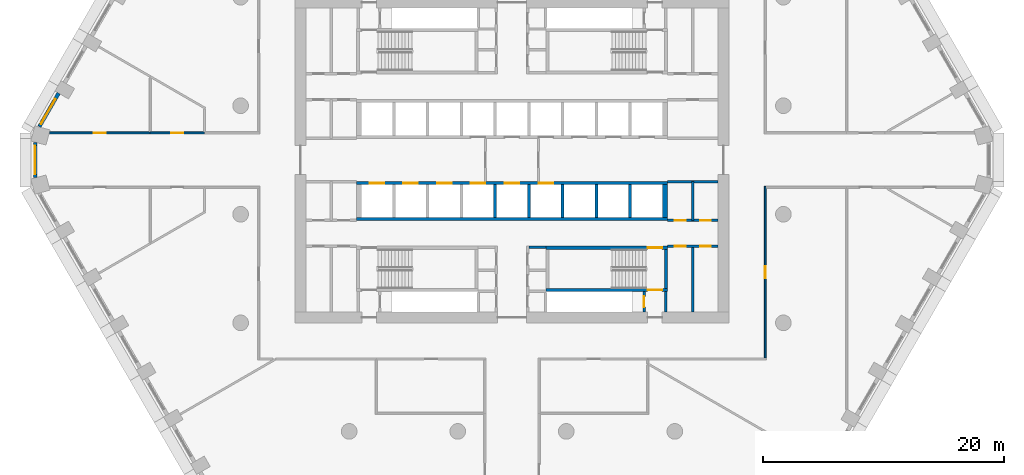
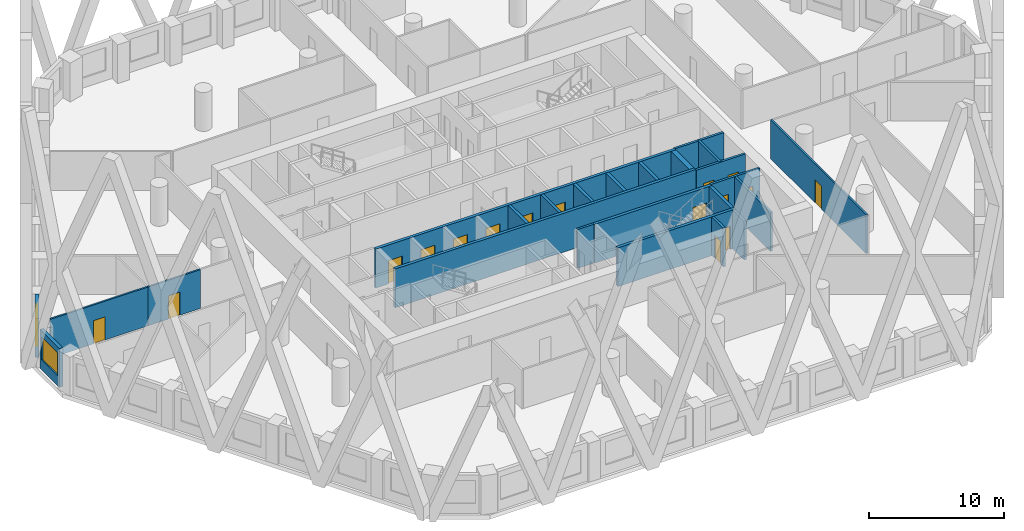
# One storey, part 4 of 18: 24 walls, 16 doors, 2 windows, 18 openings.
"""IFC4 building model written with IfcOpenShell, lengths in metres."""

from ifc_helpers import new_model, si_unit, direction, frame, frame_2d, origin, place, context, subcontext, project, spatial, polyline, rectangle, outline, extrude, material, layer, layer_set, type_object, element, fill, save


model = new_model("IFC4")

# Units and contexts
model_context = context("Model", 3, precision=1e-05, world=origin(), true_north=direction((0.0, 1.0)))
body_context = subcontext(model_context, "Body", "Model", "MODEL_VIEW")
ifc_project = project(units=[si_unit("LENGTHUNIT", "METRE"), si_unit("AREAUNIT", "SQUARE_METRE"), si_unit("VOLUMEUNIT", "CUBIC_METRE"), si_unit("PLANEANGLEUNIT", "RADIAN"), si_unit("MASSUNIT", "GRAM", prefix="KILO")], contexts=[model_context])

# Site, building, storey
site_placement = place(None, origin())
site = spatial("IfcSite", under=ifc_project, at=site_placement, CompositionType="ELEMENT")
building_placement = place(site_placement, origin())
building = spatial("IfcBuilding", under=site, at=building_placement, Name="Dhurran Vertical Campus", CompositionType="ELEMENT")
storey_placement = place(building_placement, frame((0.0, 0.0, 104.699951171875)))
storey = spatial("IfcBuildingStorey", under=building, at=storey_placement, Name="L25", CompositionType="ELEMENT", Elevation=104.699951171875)

# Wall, opening, window
ifc_material_1 = material(Name="Precast concrete C50/60", Category="concrete")
ifc_layer_1 = layer(ifc_material_1, 0.300048828125)
ifc_layer_set_1 = layer_set([ifc_layer_1], Name="Precast concrete C50/60")
wall_type_1 = type_object("IfcWallType", Name="Precast spandrel wall 300", PredefinedType="SOLIDWALL", material=ifc_layer_set_1)
wall_1_placement = place(storey_placement, frame((-37.59423828125, 5.538818359375, 0.0), z_axis=(0.0, 0.0, 1.0), x_axis=(-0.500004907028, -0.866022570692, 0.0)))
wall_1 = element("IfcWall", 1, at=wall_1_placement, inside=storey, type_object=wall_type_1, Name="EW1 L25.42", PredefinedType="SOLIDWALL", context=body_context, shape_type="SweptSolid", body=[
    extrude(rectangle(XDim=3.1923828125, YDim=0.300048828125, at=frame_2d((1.59619140625, 0.0))), origin(), (0.0, 0.0, 1.0), 3.525146484375),
])
opening_1_placement = place(wall_1_placement, frame((0.549560546875, 0.0, 0.89990234375)))
opening_1 = element("IfcOpeningElement", 2, at=opening_1_placement, cuts=wall_1, Name="Opening WT1", PredefinedType="OPENING", context=body_context, shape_type="SweptSolid", body=[
    extrude(rectangle(XDim=2.39990234375, YDim=2.10009765625, at=frame_2d((1.199951171875, 1.050048828125))), frame((0.0, 0.159912109375, 0.0), z_axis=(0.0, -1.0, 0.0), x_axis=(1.0, 0.0, 0.0)), (0.0, 0.0, 1.0), 0.320068359375),
])
ifc_material_2 = material(Name="Aluminium frame with solar-control glass", Category="aluminium")
window_type = type_object("IfcWindowType", Name="Punched window 2400 x 2100", PartitioningType="SINGLE_PANEL", PredefinedType="WINDOW", material=ifc_material_2)
window_1_placement = place(opening_1_placement, origin())
window_1 = element("IfcWindow", 3, at=window_1_placement, inside=storey, type_object=window_type, Name="WT1 L25.42", OverallHeight=2.10009765625, OverallWidth=2.39990234375, PartitioningType="SINGLE_PANEL", PredefinedType="WINDOW", context=body_context, shape_type="SweptSolid", body=[
    extrude(rectangle(XDim=2.39990234375, YDim=2.10009765625, at=frame_2d((1.199951171875, 1.050048828125))), frame((0.0, 0.030029296875, 0.0), z_axis=(0.0, -1.0, 0.0), x_axis=(1.0, 0.0, 0.0)), (0.0, 0.0, 1.0), 0.06005859375),
])
fill(opening_1, window_1)

wall_2_placement = place(storey_placement, frame((-39.547119140625, 1.44287109375, 0.0), z_axis=(0.0, 0.0, 1.0), x_axis=(0.0, -1.0, 0.0)))
wall_2 = element("IfcWall", 4, at=wall_2_placement, inside=storey, type_object=wall_type_1, Name="EW1 L25.43", PredefinedType="SOLIDWALL", context=body_context, shape_type="SweptSolid", body=[
    extrude(rectangle(XDim=2.8857421875, YDim=0.300048828125, at=frame_2d((1.44287109375, 0.0))), origin(), (0.0, 0.0, 1.0), 3.525146484375),
])
opening_2_placement = place(wall_2_placement, frame((0.242919921875, 0.0, 0.89990234375)))
opening_2 = element("IfcOpeningElement", 5, at=opening_2_placement, cuts=wall_2, Name="Opening WT1", PredefinedType="OPENING", context=body_context, shape_type="SweptSolid", body=[
    extrude(rectangle(XDim=2.39990234375, YDim=2.10009765625, at=frame_2d((1.199951171875, 1.050048828125))), frame((0.0, 0.159912109375, 0.0), z_axis=(0.0, -1.0, 0.0), x_axis=(1.0, 0.0, 0.0)), (0.0, 0.0, 1.0), 0.320068359375),
])
window_2_placement = place(opening_2_placement, origin())
window_2 = element("IfcWindow", 6, at=window_2_placement, inside=storey, type_object=window_type, Name="WT1 L25.43", OverallHeight=2.10009765625, OverallWidth=2.39990234375, PartitioningType="SINGLE_PANEL", PredefinedType="WINDOW", context=body_context, shape_type="SweptSolid", body=[
    extrude(rectangle(XDim=2.39990234375, YDim=2.10009765625, at=frame_2d((1.199951171875, 1.050048828125))), frame((0.0, 0.030029296875, 0.0), z_axis=(0.0, -1.0, 0.0), x_axis=(1.0, 0.0, 0.0)), (0.0, 0.0, 1.0), 0.06005859375),
])
fill(opening_2, window_2)

# Walls
ifc_material_3 = material(Name="Fire-rated masonry blockwork", Category="masonry")
ifc_layer_2 = layer(ifc_material_3, 0.199951171875)
ifc_layer_set_2 = layer_set([ifc_layer_2], Name="Fire-rated masonry blockwork")
wall_type_2 = type_object("IfcWallType", Name="co-FIRE-PARTITION-200", PredefinedType="PARTITIONING", material=ifc_layer_set_2)
wall_3_placement = place(storey_placement, frame((1.39990234375, -7.25, 0.0), z_axis=(0.0, 0.0, 1.0), x_axis=(1.0, 0.0, 0.0)))
element("IfcWall", 7, at=wall_3_placement, inside=storey, type_object=wall_type_2, Name="Core partition sl-SE-S L25", PredefinedType="PARTITIONING", context=body_context, shape_type="SweptSolid", body=[
    extrude(rectangle(XDim=1.400146484375, YDim=0.199951171875, at=frame_2d((0.7001953125, 0.0))), origin(), (0.0, 0.0, 1.0), 3.525146484375),
])
wall_4_placement = place(storey_placement, frame((12.75, -12.60009765625, 0.0), z_axis=(0.0, 0.0, 1.0), x_axis=(0.0, 1.0, 0.0)))
element("IfcWall", 8, at=wall_4_placement, inside=storey, type_object=wall_type_2, Name="Core partition pass-ST4-o L25", PredefinedType="PARTITIONING", context=body_context, shape_type="SweptSolid", body=[
    extrude(rectangle(XDim=1.7001953125, YDim=0.199951171875, at=frame_2d((0.85009765625, 0.0))), origin(), (0.0, 0.0, 1.0), 3.525146484375),
])

# Wall, opening, door
wall_5_placement = place(storey_placement, frame((10.949951171875, -12.60009765625, 0.0), z_axis=(0.0, 0.0, 1.0), x_axis=(0.0, 1.0, 0.0)))
wall_5 = element("IfcWall", 9, at=wall_5_placement, inside=storey, type_object=wall_type_2, Name="Core partition pass-ST4-i L25", PredefinedType="PARTITIONING", context=body_context, shape_type="SweptSolid", body=[
    extrude(rectangle(XDim=1.7001953125, YDim=0.199951171875, at=frame_2d((0.85009765625, 0.0))), origin(), (0.0, 0.0, 1.0), 3.525146484375),
])
opening_3_placement = place(wall_5_placement, frame((0.39990234375, 0.0, 0.0)))
opening_3 = element("IfcOpeningElement", 10, at=opening_3_placement, cuts=wall_5, Name="Opening T07-C16", PredefinedType="OPENING", context=body_context, shape_type="SweptSolid", body=[
    extrude(rectangle(XDim=0.89990234375, YDim=2.10009765625, at=frame_2d((0.449951171875, 1.050048828125))), frame((0.0, 0.10986328125, 0.0), z_axis=(0.0, -1.0, 0.0), x_axis=(1.0, 0.0, 0.0)), (0.0, 0.0, 1.0), 0.219970703125),
])
ifc_material_4 = material(Name="Fire-rated timber door set", Category="wood")
door_type_1 = type_object("IfcDoorType", Name="co-D-ROOM 900x2100", OperationType="SINGLE_SWING_LEFT", PredefinedType="DOOR", material=ifc_material_4)
door_1_placement = place(opening_3_placement, origin())
door_1 = element("IfcDoor", 11, at=door_1_placement, inside=storey, type_object=door_type_1, Name="Riser room door L25", OperationType="SINGLE_SWING_LEFT", OverallHeight=2.10009765625, OverallWidth=0.89990234375, PredefinedType="DOOR", context=body_context, shape_type="SweptSolid", body=[
    extrude(rectangle(XDim=0.89990234375, YDim=2.10009765625, at=frame_2d((0.449951171875, 1.050048828125))), frame((0.0, 0.02490234375, 0.0), z_axis=(0.0, -1.0, 0.0), x_axis=(1.0, 0.0, 0.0)), (0.0, 0.0, 1.0), 0.050048828125),
])
fill(opening_3, door_1)

# Wall
wall_6_placement = place(storey_placement, frame((15.0, -12.60009765625, 0.0), z_axis=(0.0, 0.0, 1.0), x_axis=(0.0, 1.0, 0.0)))
element("IfcWall", 12, at=wall_6_placement, inside=storey, type_object=wall_type_2, Name="Core partition en-SE-cut0 L25", PredefinedType="PARTITIONING", context=body_context, shape_type="SweptSolid", body=[
    extrude(rectangle(XDim=5.4501953125, YDim=0.199951171875, at=frame_2d((2.72509765625, 0.0))), origin(), (0.0, 0.0, 1.0), 3.525146484375),
])

# Wall, openings, doors
wall_7_placement = place(storey_placement, frame((12.89990234375, -7.14990234375, 0.0), z_axis=(0.0, 0.0, 1.0), x_axis=(1.0, 0.0, 0.0)))
wall_7 = element("IfcWall", 13, at=wall_7_placement, inside=storey, type_object=wall_type_2, Name="Core partition en-SE-w L25", PredefinedType="PARTITIONING", context=body_context, shape_type="SweptSolid", body=[
    extrude(rectangle(XDim=4.2001953125, YDim=0.199951171875, at=frame_2d((2.10009765625, 0.0))), origin(), (0.0, 0.0, 1.0), 3.525146484375),
])
opening_4_placement = place(wall_7_placement, frame((0.60009765625, 0.0, 0.0)))
opening_4 = element("IfcOpeningElement", 14, at=opening_4_placement, cuts=wall_7, Name="Opening T07-C28", PredefinedType="OPENING", context=body_context, shape_type="SweptSolid", body=[
    extrude(rectangle(XDim=0.89990234375, YDim=2.10009765625, at=frame_2d((0.449951171875, 1.050048828125))), frame((0.0, 0.10986328125, 0.0), z_axis=(0.0, -1.0, 0.0), x_axis=(1.0, 0.0, 0.0)), (0.0, 0.0, 1.0), 0.219970703125),
])
opening_5_placement = place(wall_7_placement, frame((2.699951171875, 0.0, 0.0)))
opening_5 = element("IfcOpeningElement", 15, at=opening_5_placement, cuts=wall_7, Name="Opening T07-C29", PredefinedType="OPENING", context=body_context, shape_type="SweptSolid", body=[
    extrude(rectangle(XDim=0.89990234375, YDim=2.10009765625, at=frame_2d((0.449951171875, 1.050048828125))), frame((0.0, 0.10986328125, 0.0), z_axis=(0.0, -1.0, 0.0), x_axis=(1.0, 0.0, 0.0)), (0.0, 0.0, 1.0), 0.219970703125),
])
door_2_placement = place(opening_4_placement, origin())
door_2 = element("IfcDoor", 16, at=door_2_placement, inside=storey, type_object=door_type_1, Name="Communications room door L25", OperationType="SINGLE_SWING_LEFT", OverallHeight=2.10009765625, OverallWidth=0.89990234375, PredefinedType="DOOR", context=body_context, shape_type="SweptSolid", body=[
    extrude(rectangle(XDim=0.89990234375, YDim=2.10009765625, at=frame_2d((0.449951171875, 1.050048828125))), frame((0.0, 0.02490234375, 0.0), z_axis=(0.0, -1.0, 0.0), x_axis=(1.0, 0.0, 0.0)), (0.0, 0.0, 1.0), 0.050048828125),
])
fill(opening_4, door_2)
door_3_placement = place(opening_5_placement, origin())
door_3 = element("IfcDoor", 17, at=door_3_placement, inside=storey, type_object=door_type_1, Name="Waste room door L25", OperationType="SINGLE_SWING_LEFT", OverallHeight=2.10009765625, OverallWidth=0.89990234375, PredefinedType="DOOR", context=body_context, shape_type="SweptSolid", body=[
    extrude(rectangle(XDim=0.89990234375, YDim=2.10009765625, at=frame_2d((0.449951171875, 1.050048828125))), frame((0.0, 0.02490234375, 0.0), z_axis=(0.0, -1.0, 0.0), x_axis=(1.0, 0.0, 0.0)), (0.0, 0.0, 1.0), 0.050048828125),
])
fill(opening_5, door_3)

# Wall
wall_8_placement = place(storey_placement, frame((15.0, -5.0, 0.0), z_axis=(0.0, 0.0, 1.0), x_axis=(0.0, 1.0, 0.0)))
element("IfcWall", 18, at=wall_8_placement, inside=storey, type_object=wall_type_2, Name="Core partition es-SE-cut0 L25", PredefinedType="PARTITIONING", context=body_context, shape_type="SweptSolid", body=[
    extrude(rectangle(XDim=3.199951171875, YDim=0.199951171875, at=frame_2d((1.60009765625, 0.0))), origin(), (0.0, 0.0, 1.0), 3.525146484375),
])

# Wall, openings, doors
wall_9_placement = place(storey_placement, frame((12.89990234375, -5.0, 0.0), z_axis=(0.0, 0.0, 1.0), x_axis=(1.0, 0.0, 0.0)))
wall_9 = element("IfcWall", 19, at=wall_9_placement, inside=storey, type_object=wall_type_2, Name="Core partition es-SE-w L25", PredefinedType="PARTITIONING", context=body_context, shape_type="SweptSolid", body=[
    extrude(rectangle(XDim=4.2001953125, YDim=0.199951171875, at=frame_2d((2.10009765625, 0.0))), origin(), (0.0, 0.0, 1.0), 3.525146484375),
])
opening_6_placement = place(wall_9_placement, frame((0.60009765625, 0.0, 0.0)))
opening_6 = element("IfcOpeningElement", 20, at=opening_6_placement, cuts=wall_9, Name="Opening T07-C30", PredefinedType="OPENING", context=body_context, shape_type="SweptSolid", body=[
    extrude(rectangle(XDim=0.89990234375, YDim=2.10009765625, at=frame_2d((0.449951171875, 1.050048828125))), frame((0.0, 0.10986328125, 0.0), z_axis=(0.0, -1.0, 0.0), x_axis=(1.0, 0.0, 0.0)), (0.0, 0.0, 1.0), 0.219970703125),
])
opening_7_placement = place(wall_9_placement, frame((2.699951171875, 0.0, 0.0)))
opening_7 = element("IfcOpeningElement", 21, at=opening_7_placement, cuts=wall_9, Name="Opening T07-C31", PredefinedType="OPENING", context=body_context, shape_type="SweptSolid", body=[
    extrude(rectangle(XDim=0.89990234375, YDim=2.10009765625, at=frame_2d((0.449951171875, 1.050048828125))), frame((0.0, 0.10986328125, 0.0), z_axis=(0.0, -1.0, 0.0), x_axis=(1.0, 0.0, 0.0)), (0.0, 0.0, 1.0), 0.219970703125),
])
door_4_placement = place(opening_6_placement, origin())
door_4 = element("IfcDoor", 22, at=door_4_placement, inside=storey, type_object=door_type_1, Name="Waste room door L25", OperationType="SINGLE_SWING_LEFT", OverallHeight=2.10009765625, OverallWidth=0.89990234375, PredefinedType="DOOR", context=body_context, shape_type="SweptSolid", body=[
    extrude(rectangle(XDim=0.89990234375, YDim=2.10009765625, at=frame_2d((0.449951171875, 1.050048828125))), frame((0.0, 0.02490234375, 0.0), z_axis=(0.0, -1.0, 0.0), x_axis=(1.0, 0.0, 0.0)), (0.0, 0.0, 1.0), 0.050048828125),
])
fill(opening_6, door_4)
door_5_placement = place(opening_7_placement, origin())
door_5 = element("IfcDoor", 23, at=door_5_placement, inside=storey, type_object=door_type_1, Name="Store door L25", OperationType="SINGLE_SWING_LEFT", OverallHeight=2.10009765625, OverallWidth=0.89990234375, PredefinedType="DOOR", context=body_context, shape_type="SweptSolid", body=[
    extrude(rectangle(XDim=0.89990234375, YDim=2.10009765625, at=frame_2d((0.449951171875, 1.050048828125))), frame((0.0, 0.02490234375, 0.0), z_axis=(0.0, -1.0, 0.0), x_axis=(1.0, 0.0, 0.0)), (0.0, 0.0, 1.0), 0.050048828125),
])
fill(opening_7, door_5)

# Wall
wall_10_placement = place(storey_placement, frame((12.89990234375, -1.800048828125, 0.0), z_axis=(0.0, 0.0, 1.0), x_axis=(1.0, 0.0, 0.0)))
element("IfcWall", 24, at=wall_10_placement, inside=storey, type_object=wall_type_2, Name="Core partition es-SE-l L25", PredefinedType="PARTITIONING", context=body_context, shape_type="SweptSolid", body=[
    extrude(rectangle(XDim=4.2001953125, YDim=0.199951171875, at=frame_2d((2.10009765625, 0.0))), origin(), (0.0, 0.0, 1.0), 3.525146484375),
])

# Wall, openings, doors
ifc_material_5 = material(Name="Concrete C50/60", Category="concrete")
ifc_layer_3 = layer(ifc_material_5, 0.25)
ifc_layer_set_3 = layer_set([ifc_layer_3], Name="Concrete C50/60")
wall_type_3 = type_object("IfcWallType", Name="co-SHAFT-FRONT-250", PredefinedType="SHEAR", material=ifc_layer_set_3)
wall_11_placement = place(storey_placement, frame((-12.89990234375, -1.925048828125, 0.0), z_axis=(0.0, 0.0, 1.0), x_axis=(1.0, 0.0, 0.0)))
wall_11 = element("IfcWall", 25, at=wall_11_placement, inside=storey, type_object=wall_type_3, Name="Lift landing wall S L25", PredefinedType="SHEAR", context=body_context, shape_type="SweptSolid", body=[
    extrude(rectangle(XDim=25.7998046875, YDim=0.25, at=frame_2d((12.89990234375, 0.0))), origin(), (0.0, 0.0, 1.0), 3.525146484375),
])
opening_8_placement = place(wall_11_placement, frame((1.10009765625, 0.0, 0.0)))
opening_8 = element("IfcOpeningElement", 26, at=opening_8_placement, cuts=wall_11, Name="Opening LD", PredefinedType="OPENING", context=body_context, shape_type="SweptSolid", body=[
    extrude(rectangle(XDim=1.199951171875, YDim=2.10009765625, at=frame_2d((0.60009765625, 1.050048828125))), frame((0.0, 0.135009765625, 0.0), z_axis=(0.0, -1.0, 0.0), x_axis=(1.0, 0.0, 0.0)), (0.0, 0.0, 1.0), 0.27001953125),
])
opening_9_placement = place(wall_11_placement, frame((3.89990234375, 0.0, 0.0)))
opening_9 = element("IfcOpeningElement", 27, at=opening_9_placement, cuts=wall_11, Name="Opening LD", PredefinedType="OPENING", context=body_context, shape_type="SweptSolid", body=[
    extrude(rectangle(XDim=1.199951171875, YDim=2.10009765625, at=frame_2d((0.60009765625, 1.050048828125))), frame((0.0, 0.135009765625, 0.0), z_axis=(0.0, -1.0, 0.0), x_axis=(1.0, 0.0, 0.0)), (0.0, 0.0, 1.0), 0.27001953125),
])
opening_10_placement = place(wall_11_placement, frame((6.699951171875, 0.0, 0.0)))
opening_10 = element("IfcOpeningElement", 28, at=opening_10_placement, cuts=wall_11, Name="Opening LD", PredefinedType="OPENING", context=body_context, shape_type="SweptSolid", body=[
    extrude(rectangle(XDim=1.199951171875, YDim=2.10009765625, at=frame_2d((0.60009765625, 1.050048828125))), frame((0.0, 0.135009765625, 0.0), z_axis=(0.0, -1.0, 0.0), x_axis=(1.0, 0.0, 0.0)), (0.0, 0.0, 1.0), 0.27001953125),
])
opening_11_placement = place(wall_11_placement, frame((9.5, 0.0, 0.0)))
opening_11 = element("IfcOpeningElement", 29, at=opening_11_placement, cuts=wall_11, Name="Opening LD", PredefinedType="OPENING", context=body_context, shape_type="SweptSolid", body=[
    extrude(rectangle(XDim=1.199951171875, YDim=2.10009765625, at=frame_2d((0.60009765625, 1.050048828125))), frame((0.0, 0.135009765625, 0.0), z_axis=(0.0, -1.0, 0.0), x_axis=(1.0, 0.0, 0.0)), (0.0, 0.0, 1.0), 0.27001953125),
])
opening_12_placement = place(wall_11_placement, frame((12.300048828125, 0.0, 0.0)))
opening_12 = element("IfcOpeningElement", 30, at=opening_12_placement, cuts=wall_11, Name="Opening LD", PredefinedType="OPENING", context=body_context, shape_type="SweptSolid", body=[
    extrude(rectangle(XDim=1.199951171875, YDim=2.10009765625, at=frame_2d((0.60009765625, 1.050048828125))), frame((0.0, 0.135009765625, 0.0), z_axis=(0.0, -1.0, 0.0), x_axis=(1.0, 0.0, 0.0)), (0.0, 0.0, 1.0), 0.27001953125),
])
opening_13_placement = place(wall_11_placement, frame((15.10009765625, 0.0, 0.0)))
opening_13 = element("IfcOpeningElement", 31, at=opening_13_placement, cuts=wall_11, Name="Opening LD", PredefinedType="OPENING", context=body_context, shape_type="SweptSolid", body=[
    extrude(rectangle(XDim=1.199951171875, YDim=2.10009765625, at=frame_2d((0.60009765625, 1.050048828125))), frame((0.0, 0.135009765625, 0.0), z_axis=(0.0, -1.0, 0.0), x_axis=(1.0, 0.0, 0.0)), (0.0, 0.0, 1.0), 0.27001953125),
])
ifc_material_6 = material(Name="Stainless steel landing door", Category="steel")
door_type_2 = type_object("IfcDoorType", Name="co-D-LANDING 1200x2100", OperationType="DOUBLE_DOOR_SLIDING", PredefinedType="DOOR", material=ifc_material_6)
door_6_placement = place(opening_8_placement, origin())
door_6 = element("IfcDoor", 32, at=door_6_placement, inside=storey, type_object=door_type_2, Name="Landing door LR5 L25", OperationType="DOUBLE_DOOR_SLIDING", OverallHeight=2.10009765625, OverallWidth=1.199951171875, PredefinedType="DOOR", context=body_context, shape_type="SweptSolid", body=[
    extrude(rectangle(XDim=1.199951171875, YDim=2.10009765625, at=frame_2d((0.60009765625, 1.050048828125))), frame((0.0, 0.02490234375, 0.0), z_axis=(0.0, -1.0, 0.0), x_axis=(1.0, 0.0, 0.0)), (0.0, 0.0, 1.0), 0.050048828125),
])
fill(opening_8, door_6)
door_7_placement = place(opening_9_placement, origin())
door_7 = element("IfcDoor", 33, at=door_7_placement, inside=storey, type_object=door_type_2, Name="Landing door LR6 L25", OperationType="DOUBLE_DOOR_SLIDING", OverallHeight=2.10009765625, OverallWidth=1.199951171875, PredefinedType="DOOR", context=body_context, shape_type="SweptSolid", body=[
    extrude(rectangle(XDim=1.199951171875, YDim=2.10009765625, at=frame_2d((0.60009765625, 1.050048828125))), frame((0.0, 0.02490234375, 0.0), z_axis=(0.0, -1.0, 0.0), x_axis=(1.0, 0.0, 0.0)), (0.0, 0.0, 1.0), 0.050048828125),
])
fill(opening_9, door_7)
door_8_placement = place(opening_10_placement, origin())
door_8 = element("IfcDoor", 34, at=door_8_placement, inside=storey, type_object=door_type_2, Name="Landing door LR7 L25", OperationType="DOUBLE_DOOR_SLIDING", OverallHeight=2.10009765625, OverallWidth=1.199951171875, PredefinedType="DOOR", context=body_context, shape_type="SweptSolid", body=[
    extrude(rectangle(XDim=1.199951171875, YDim=2.10009765625, at=frame_2d((0.60009765625, 1.050048828125))), frame((0.0, 0.02490234375, 0.0), z_axis=(0.0, -1.0, 0.0), x_axis=(1.0, 0.0, 0.0)), (0.0, 0.0, 1.0), 0.050048828125),
])
fill(opening_10, door_8)
door_9_placement = place(opening_11_placement, origin())
door_9 = element("IfcDoor", 35, at=door_9_placement, inside=storey, type_object=door_type_2, Name="Landing door LR8 L25", OperationType="DOUBLE_DOOR_SLIDING", OverallHeight=2.10009765625, OverallWidth=1.199951171875, PredefinedType="DOOR", context=body_context, shape_type="SweptSolid", body=[
    extrude(rectangle(XDim=1.199951171875, YDim=2.10009765625, at=frame_2d((0.60009765625, 1.050048828125))), frame((0.0, 0.02490234375, 0.0), z_axis=(0.0, -1.0, 0.0), x_axis=(1.0, 0.0, 0.0)), (0.0, 0.0, 1.0), 0.050048828125),
])
fill(opening_11, door_9)
door_10_placement = place(opening_12_placement, origin())
door_10 = element("IfcDoor", 36, at=door_10_placement, inside=storey, type_object=door_type_2, Name="Landing door FF2 L25", OperationType="DOUBLE_DOOR_SLIDING", OverallHeight=2.10009765625, OverallWidth=1.199951171875, PredefinedType="DOOR", context=body_context, shape_type="SweptSolid", body=[
    extrude(rectangle(XDim=1.199951171875, YDim=2.10009765625, at=frame_2d((0.60009765625, 1.050048828125))), frame((0.0, 0.02490234375, 0.0), z_axis=(0.0, -1.0, 0.0), x_axis=(1.0, 0.0, 0.0)), (0.0, 0.0, 1.0), 0.050048828125),
])
fill(opening_12, door_10)
door_11_placement = place(opening_13_placement, origin())
door_11 = element("IfcDoor", 37, at=door_11_placement, inside=storey, type_object=door_type_2, Name="Landing door SV1 L25", OperationType="DOUBLE_DOOR_SLIDING", OverallHeight=2.10009765625, OverallWidth=1.199951171875, PredefinedType="DOOR", context=body_context, shape_type="SweptSolid", body=[
    extrude(rectangle(XDim=1.199951171875, YDim=2.10009765625, at=frame_2d((0.60009765625, 1.050048828125))), frame((0.0, 0.02490234375, 0.0), z_axis=(0.0, -1.0, 0.0), x_axis=(1.0, 0.0, 0.0)), (0.0, 0.0, 1.0), 0.050048828125),
])
fill(opening_13, door_11)

# Walls
ifc_material_7 = material(Name="Concrete C50/60", Category="concrete")
ifc_layer_4 = layer(ifc_material_7, 0.25)
ifc_layer_set_4 = layer_set([ifc_layer_4], Name="Concrete C50/60")
wall_type_4 = type_object("IfcWallType", Name="co-SHAFT-MASS-250", PredefinedType="SHEAR", material=ifc_layer_set_4)
wall_12_placement = place(storey_placement, origin())
element("IfcWall", 38, at=wall_12_placement, inside=storey, type_object=wall_type_4, Name="Lift shaft wall S L25 1", PredefinedType="SHEAR", context=body_context, shape_type="SweptSolid", body=[
    extrude(outline(polyline([(-12.89990234375, -5.0), (12.89990234375, -5.0), (12.89990234375, -4.75), (-12.89990234375, -4.75), (-12.89990234375, -5.0)])), origin(), (0.0, 0.0, 1.0), 3.525146484375),
])
wall_13_placement = place(storey_placement, origin())
element("IfcWall", 39, at=wall_13_placement, inside=storey, type_object=wall_type_4, Name="Lift shaft wall S L25 6", PredefinedType="SHEAR", context=body_context, shape_type="SweptSolid", body=[
    extrude(outline(polyline([(-1.52490234375, -4.75), (-1.27490234375, -4.75), (-1.27490234375, -2.050048828125), (-1.52490234375, -2.050048828125), (-1.52490234375, -4.75)])), origin(), (0.0, 0.0, 1.0), 3.525146484375),
])
wall_14_placement = place(storey_placement, origin())
element("IfcWall", 40, at=wall_14_placement, inside=storey, type_object=wall_type_4, Name="Lift shaft wall S L25 7", PredefinedType="SHEAR", context=body_context, shape_type="SweptSolid", body=[
    extrude(outline(polyline([(1.27490234375, -4.75), (1.52490234375, -4.75), (1.52490234375, -2.050048828125), (1.27490234375, -2.050048828125), (1.27490234375, -4.75)])), origin(), (0.0, 0.0, 1.0), 3.525146484375),
])
wall_15_placement = place(storey_placement, origin())
element("IfcWall", 41, at=wall_15_placement, inside=storey, type_object=wall_type_4, Name="Lift shaft wall S L25 8", PredefinedType="SHEAR", context=body_context, shape_type="SweptSolid", body=[
    extrude(outline(polyline([(4.074951171875, -4.75), (4.324951171875, -4.75), (4.324951171875, -2.050048828125), (4.074951171875, -2.050048828125), (4.074951171875, -4.75)])), origin(), (0.0, 0.0, 1.0), 3.525146484375),
])
wall_16_placement = place(storey_placement, origin())
element("IfcWall", 42, at=wall_16_placement, inside=storey, type_object=wall_type_4, Name="Lift shaft wall S L25 9", PredefinedType="SHEAR", context=body_context, shape_type="SweptSolid", body=[
    extrude(outline(polyline([(6.875, -4.75), (7.125, -4.75), (7.125, -2.050048828125), (6.875, -2.050048828125), (6.875, -4.75)])), origin(), (0.0, 0.0, 1.0), 3.525146484375),
])
wall_17_placement = place(storey_placement, origin())
element("IfcWall", 43, at=wall_17_placement, inside=storey, type_object=wall_type_4, Name="Lift shaft wall S L25 10", PredefinedType="SHEAR", context=body_context, shape_type="SweptSolid", body=[
    extrude(outline(polyline([(9.675048828125, -4.75), (9.925048828125, -4.75), (9.925048828125, -2.050048828125), (9.675048828125, -2.050048828125), (9.675048828125, -4.75)])), origin(), (0.0, 0.0, 1.0), 3.525146484375),
])
wall_18_placement = place(storey_placement, origin())
element("IfcWall", 44, at=wall_18_placement, inside=storey, type_object=wall_type_4, Name="Lift shaft wall S L25 11", PredefinedType="SHEAR", context=body_context, shape_type="SweptSolid", body=[
    extrude(outline(polyline([(12.47509765625, -4.75), (12.89990234375, -4.75), (12.89990234375, -2.050048828125), (12.47509765625, -2.050048828125), (12.47509765625, -4.75)])), origin(), (0.0, 0.0, 1.0), 3.525146484375),
])

# Wall, opening, door
ifc_material_8 = material(Name="Concrete C40/50", Category="concrete")
ifc_layer_5 = layer(ifc_material_8, 0.25)
ifc_layer_set_5 = layer_set([ifc_layer_5], Name="Concrete C40/50")
wall_type_5 = type_object("IfcWallType", Name="co-STAIR-WALL-250", PredefinedType="SHEAR", material=ifc_layer_set_5)
wall_19_placement = place(storey_placement, frame((2.800048828125, -10.77490234375, 0.0), z_axis=(0.0, 0.0, 1.0), x_axis=(1.0, 0.0, 0.0)))
wall_19 = element("IfcWall", 45, at=wall_19_placement, inside=storey, type_object=wall_type_5, Name="Stair ST4 enclosure wall L25", PredefinedType="SHEAR", context=body_context, shape_type="SweptSolid", body=[
    extrude(rectangle(XDim=10.099853515625, YDim=0.25, at=frame_2d((5.0498046875, 0.0))), origin(), (0.0, 0.0, 1.0), 3.525146484375),
])
opening_14_placement = place(wall_19_placement, frame((8.449951171875, 0.0, 0.0)))
opening_14 = element("IfcOpeningElement", 46, at=opening_14_placement, cuts=wall_19, Name="Opening XS4", PredefinedType="OPENING", context=body_context, shape_type="SweptSolid", body=[
    extrude(rectangle(XDim=1.199951171875, YDim=2.10009765625, at=frame_2d((0.60009765625, 1.050048828125))), frame((0.0, 0.135009765625, 0.0), z_axis=(0.0, -1.0, 0.0), x_axis=(1.0, 0.0, 0.0)), (0.0, 0.0, 1.0), 0.27001953125),
])
ifc_material_9 = material(Name="Fire-rated steel door set", Category="steel")
door_type_3 = type_object("IfcDoorType", Name="co-D-STAIR-EXIT 1200x2100", OperationType="SINGLE_SWING_RIGHT", PredefinedType="DOOR", material=ifc_material_9)
door_12_placement = place(opening_14_placement, origin())
door_12 = element("IfcDoor", 47, at=door_12_placement, inside=storey, type_object=door_type_3, Name="Stair ST4 discharge door L25", OperationType="SINGLE_SWING_RIGHT", OverallHeight=2.10009765625, OverallWidth=1.199951171875, PredefinedType="DOOR", context=body_context, shape_type="SweptSolid", body=[
    extrude(rectangle(XDim=1.199951171875, YDim=2.10009765625, at=frame_2d((0.60009765625, 1.050048828125))), frame((0.0, 0.02490234375, 0.0), z_axis=(0.0, -1.0, 0.0), x_axis=(1.0, 0.0, 0.0)), (0.0, 0.0, 1.0), 0.050048828125),
])
fill(opening_14, door_12)

wall_20_placement = place(storey_placement, frame((2.800048828125, -7.27490234375, 0.0), z_axis=(0.0, 0.0, 1.0), x_axis=(1.0, 0.0, 0.0)))
wall_20 = element("IfcWall", 48, at=wall_20_placement, inside=storey, type_object=wall_type_5, Name="Stair ST4 enclosure wall L25", PredefinedType="SHEAR", context=body_context, shape_type="SweptSolid", body=[
    extrude(rectangle(XDim=10.099853515625, YDim=0.25, at=frame_2d((5.0498046875, 0.0))), origin(), (0.0, 0.0, 1.0), 3.525146484375),
])
opening_15_placement = place(wall_20_placement, frame((8.449951171875, 0.0, 0.0)))
opening_15 = element("IfcOpeningElement", 49, at=opening_15_placement, cuts=wall_20, Name="Opening SD4", PredefinedType="OPENING", context=body_context, shape_type="SweptSolid", body=[
    extrude(rectangle(XDim=1.199951171875, YDim=2.10009765625, at=frame_2d((0.60009765625, 1.050048828125))), frame((0.0, 0.135009765625, 0.0), z_axis=(0.0, -1.0, 0.0), x_axis=(1.0, 0.0, 0.0)), (0.0, 0.0, 1.0), 0.27001953125),
])
ifc_material_10 = material(Name="Fire-rated steel door set", Category="steel")
door_type_4 = type_object("IfcDoorType", Name="co-D-STAIR 1200x2100", OperationType="SINGLE_SWING_LEFT", PredefinedType="DOOR", material=ifc_material_10)
door_13_placement = place(opening_15_placement, origin())
door_13 = element("IfcDoor", 50, at=door_13_placement, inside=storey, type_object=door_type_4, Name="Stair ST4 door L25", OperationType="SINGLE_SWING_LEFT", OverallHeight=2.10009765625, OverallWidth=1.199951171875, PredefinedType="DOOR", context=body_context, shape_type="SweptSolid", body=[
    extrude(rectangle(XDim=1.199951171875, YDim=2.10009765625, at=frame_2d((0.60009765625, 1.050048828125))), frame((0.0, 0.02490234375, 0.0), z_axis=(0.0, -1.0, 0.0), x_axis=(1.0, 0.0, 0.0)), (0.0, 0.0, 1.0), 0.050048828125),
])
fill(opening_15, door_13)

# Wall
wall_21_placement = place(storey_placement, frame((12.77490234375, -10.64990234375, 0.0), z_axis=(0.0, 0.0, 1.0), x_axis=(0.0, 1.0, 0.0)))
element("IfcWall", 51, at=wall_21_placement, inside=storey, type_object=wall_type_5, Name="Stair ST4 enclosure wall L25", PredefinedType="SHEAR", context=body_context, shape_type="SweptSolid", body=[
    extrude(rectangle(XDim=3.25, YDim=0.25, at=frame_2d((1.625, 0.0))), origin(), (0.0, 0.0, 1.0), 3.525146484375),
])

# Wall, opening, door
ifc_material_11 = material(Name="Gypsum board corridor wall on steel studs", Category="steel")
ifc_layer_6 = layer(ifc_material_11, 0.14990234375)
ifc_layer_set_6 = layer_set([ifc_layer_6], Name="Gypsum board corridor wall on steel studs")
wall_type_6 = type_object("IfcWallType", Name="fl-CW-150 corridor wall", PredefinedType="PARTITIONING", material=ifc_layer_set_6)
wall_22_placement = place(storey_placement, frame((-38.35009765625, 2.25, 0.0), z_axis=(0.0, 0.0, 1.0), x_axis=(1.0, 0.0, 0.0)))
wall_22 = element("IfcWall", 52, at=wall_22_placement, inside=storey, type_object=wall_type_6, Name="Partition 25-02", PredefinedType="PARTITIONING", context=body_context, shape_type="SweptSolid", body=[
    extrude(rectangle(XDim=8.35009765625, YDim=0.14990234375, at=frame_2d((4.175048828125, 0.0))), origin(), (0.0, 0.0, 1.0), 3.525146484375),
])
opening_16_placement = place(wall_22_placement, frame((3.675048828125, 0.0, 0.0)))
opening_16 = element("IfcOpeningElement", 53, at=opening_16_placement, cuts=wall_22, Name="Opening T07.02", PredefinedType="OPENING", context=body_context, shape_type="SweptSolid", body=[
    extrude(rectangle(XDim=1.0, YDim=2.10009765625, at=frame_2d((0.5, 1.050048828125))), frame((0.0, 0.0849609375, 0.0), z_axis=(0.0, -1.0, 0.0), x_axis=(1.0, 0.0, 0.0)), (0.0, 0.0, 1.0), 0.169921875),
])
ifc_material_12 = material(Name="Solid-core timber door set, fire-rated", Category="wood")
door_type_5 = type_object("IfcDoorType", Name="fl-D-1000x2100", OperationType="SINGLE_SWING_LEFT", PredefinedType="DOOR", material=ifc_material_12)
door_14_placement = place(opening_16_placement, origin())
door_14 = element("IfcDoor", 54, at=door_14_placement, inside=storey, type_object=door_type_5, Name="Door 25.02", OperationType="SINGLE_SWING_LEFT", OverallHeight=2.10009765625, OverallWidth=1.0, PredefinedType="DOOR", context=body_context, shape_type="SweptSolid", body=[
    extrude(rectangle(XDim=1.0, YDim=2.10009765625, at=frame_2d((0.5, 1.050048828125))), frame((0.0, 0.02490234375, 0.0), z_axis=(0.0, -1.0, 0.0), x_axis=(1.0, 0.0, 0.0)), (0.0, 0.0, 1.0), 0.050048828125),
])
fill(opening_16, door_14)

wall_23_placement = place(storey_placement, frame((-30.0, 2.25, 0.0), z_axis=(0.0, 0.0, 1.0), x_axis=(1.0, 0.0, 0.0)))
wall_23 = element("IfcWall", 55, at=wall_23_placement, inside=storey, type_object=wall_type_6, Name="Partition 25-09", PredefinedType="PARTITIONING", context=body_context, shape_type="SweptSolid", body=[
    extrude(rectangle(XDim=4.5, YDim=0.14990234375, at=frame_2d((2.25, 0.0))), origin(), (0.0, 0.0, 1.0), 3.525146484375),
])
opening_17_placement = place(wall_23_placement, frame((1.75, 0.0, 0.0)))
opening_17 = element("IfcOpeningElement", 56, at=opening_17_placement, cuts=wall_23, Name="Opening T07.04", PredefinedType="OPENING", context=body_context, shape_type="SweptSolid", body=[
    extrude(rectangle(XDim=1.0, YDim=2.10009765625, at=frame_2d((0.5, 1.050048828125))), frame((0.0, 0.0849609375, 0.0), z_axis=(0.0, -1.0, 0.0), x_axis=(1.0, 0.0, 0.0)), (0.0, 0.0, 1.0), 0.169921875),
])
door_15_placement = place(opening_17_placement, origin())
door_15 = element("IfcDoor", 57, at=door_15_placement, inside=storey, type_object=door_type_5, Name="Door 25.04", OperationType="SINGLE_SWING_LEFT", OverallHeight=2.10009765625, OverallWidth=1.0, PredefinedType="DOOR", context=body_context, shape_type="SweptSolid", body=[
    extrude(rectangle(XDim=1.0, YDim=2.10009765625, at=frame_2d((0.5, 1.050048828125))), frame((0.0, 0.02490234375, 0.0), z_axis=(0.0, -1.0, 0.0), x_axis=(1.0, 0.0, 0.0)), (0.0, 0.0, 1.0), 0.050048828125),
])
fill(opening_17, door_15)

wall_24_placement = place(storey_placement, frame((21.0, -16.425048828125, 0.0), z_axis=(0.0, 0.0, 1.0), x_axis=(0.0, 1.0, 0.0)))
wall_24 = element("IfcWall", 58, at=wall_24_placement, inside=storey, type_object=wall_type_6, Name="Partition 25-52", PredefinedType="PARTITIONING", context=body_context, shape_type="SweptSolid", body=[
    extrude(rectangle(XDim=14.25, YDim=0.14990234375, at=frame_2d((7.125, 0.0))), origin(), (0.0, 0.0, 1.0), 3.525146484375),
])
opening_18_placement = place(wall_24_placement, frame((6.625, 0.0, 0.0)))
opening_18 = element("IfcOpeningElement", 59, at=opening_18_placement, cuts=wall_24, Name="Opening T07.17", PredefinedType="OPENING", context=body_context, shape_type="SweptSolid", body=[
    extrude(rectangle(XDim=1.0, YDim=2.10009765625, at=frame_2d((0.5, 1.050048828125))), frame((0.0, 0.0849609375, 0.0), z_axis=(0.0, -1.0, 0.0), x_axis=(1.0, 0.0, 0.0)), (0.0, 0.0, 1.0), 0.169921875),
])
door_16_placement = place(opening_18_placement, origin())
door_16 = element("IfcDoor", 60, at=door_16_placement, inside=storey, type_object=door_type_5, Name="Door 25.17", OperationType="SINGLE_SWING_LEFT", OverallHeight=2.10009765625, OverallWidth=1.0, PredefinedType="DOOR", context=body_context, shape_type="SweptSolid", body=[
    extrude(rectangle(XDim=1.0, YDim=2.10009765625, at=frame_2d((0.5, 1.050048828125))), frame((0.0, 0.02490234375, 0.0), z_axis=(0.0, -1.0, 0.0), x_axis=(1.0, 0.0, 0.0)), (0.0, 0.0, 1.0), 0.050048828125),
])
fill(opening_18, door_16)

save(model, "model.ifc")
